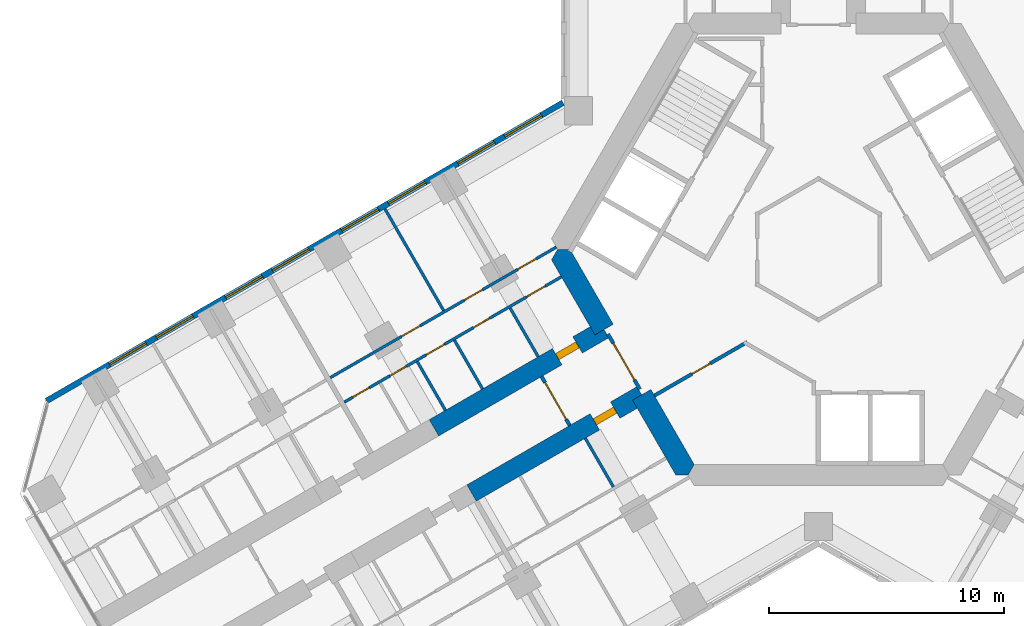
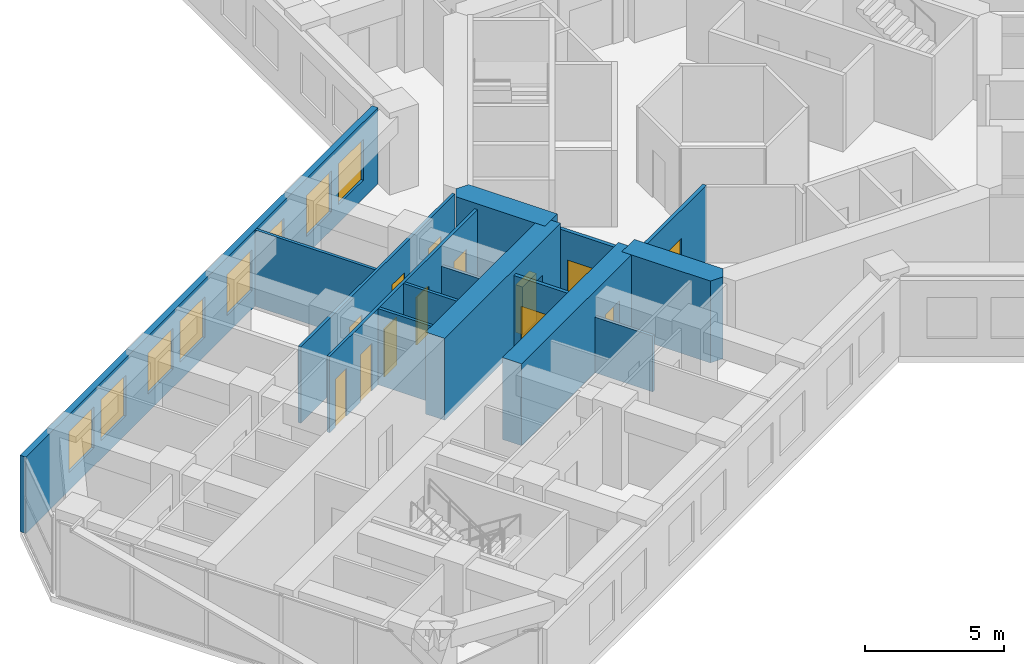
# One storey, part 12 of 20: 15 walls, 13 doors, 8 windows, 21 openings.
"""IFC4 building model written with IfcOpenShell, lengths in metres."""

import ifcopenshell
import ifcopenshell.guid

model = None  # the IFC model being written
_history = None  # IfcOwnerHistory: only IFC2X3 demands one
_inside = {}  # id of a spatial element -> (the spatial element, [elements in it])
_under = {}  # id of a project, library or spatial element -> (it, [spatial elements below it])
_declared = {}  # id of a project -> (the project, [libraries it declares])
_typed = {}  # id of a type object -> (the type object, [elements of that type])
_made_of = {}  # id of a material, layer set ... -> (it, [elements and type objects made of it])


def new_model(schema):
    """Start an empty IFC model of exactly this schema.

    Asked for "IFC4X3", IfcOpenShell would pick the latest addendum, in which some entities
    have other attributes; the version numbers below select the first issue.
    IFC2X3 requires an IfcOwnerHistory on every rooted entity: one is made here for all.
    """
    global model, _history
    if schema == "IFC4X3":
        model = ifcopenshell.file(schema_version=(4, 3, 0, 0))
    else:
        model = ifcopenshell.file(schema=schema)
    _inside.clear()
    _under.clear()
    _declared.clear()
    _typed.clear()
    _made_of.clear()
    _history = None
    if model.schema == "IFC2X3":
        org = make("IfcOrganization", Name="unknown")
        user = make(
            "IfcPersonAndOrganization",
            ThePerson=make("IfcPerson", FamilyName="unknown"),
            TheOrganization=org,
        )
        app = make(
            "IfcApplication",
            ApplicationDeveloper=org,
            Version="unknown",
            ApplicationFullName="unknown",
            ApplicationIdentifier="unknown",
        )
        _history = make(
            "IfcOwnerHistory",
            OwningUser=user,
            OwningApplication=app,
            ChangeAction="ADDED",
            CreationDate=0,
        )
    return model


def make(cls, **values):
    """One entity of the class cls with the attributes given. An attribute that is None is left unset."""
    return model.create_entity(
        cls, **{name: value for name, value in values.items() if value is not None}
    )


def rooted(cls, **values):
    """An entity with a GlobalId (a new one), such as an element, a storey or a relation."""
    return make(cls, GlobalId=ifcopenshell.guid.new(), OwnerHistory=_history, **values)


def si_unit(unit_type, name, prefix=None):
    """IfcSIUnit, for example si_unit("LENGTHUNIT", "METRE", prefix="MILLI")."""
    return make("IfcSIUnit", UnitType=unit_type, Prefix=prefix, Name=name)


def assignment(units):
    """IfcUnitAssignment: the units of a project."""
    return None if units is None else make("IfcUnitAssignment", Units=units)


def point(xyz):
    """IfcCartesianPoint."""
    return None if xyz is None else make("IfcCartesianPoint", Coordinates=xyz)


def direction(xyz):
    """IfcDirection."""
    return None if xyz is None else make("IfcDirection", DirectionRatios=xyz)


def frame(location, z_axis=None, x_axis=None):
    """IfcAxis2Placement3D, a coordinate frame: its origin and axes. An axis left out is left unset."""
    return make(
        "IfcAxis2Placement3D",
        Location=point(location),
        Axis=direction(z_axis),
        RefDirection=direction(x_axis),
    )


def frame_2d(location, x_axis=None):
    """IfcAxis2Placement2D, a coordinate frame in the plane: its origin and x axis."""
    return make(
        "IfcAxis2Placement2D", Location=point(location), RefDirection=direction(x_axis)
    )


def origin():
    """The frame at (0, 0, 0) with its axes left unset."""
    return frame((0.0, 0.0, 0.0))


def place(relative_to, where):
    """IfcLocalPlacement: puts the frame where relative to a parent placement (None: the world)."""
    return make(
        "IfcLocalPlacement", PlacementRelTo=relative_to, RelativePlacement=where
    )


def context(
    kind, dimensions, precision=None, world=None, true_north=None, identifier=None
):
    """IfcGeometricRepresentationContext, for example the 3D "Model" context."""
    return make(
        "IfcGeometricRepresentationContext",
        ContextIdentifier=identifier,
        ContextType=kind,
        CoordinateSpaceDimension=dimensions,
        Precision=precision,
        WorldCoordinateSystem=world,
        TrueNorth=true_north,
    )


def subcontext(parent, identifier, kind, view, scale=None):
    """IfcGeometricRepresentationSubContext, for example "Body" below "Model"."""
    return make(
        "IfcGeometricRepresentationSubContext",
        ContextIdentifier=identifier,
        ContextType=kind,
        ParentContext=parent,
        TargetScale=scale,
        TargetView=view,
    )


def project(units=None, contexts=None):
    """IfcProject with its units and contexts."""
    return rooted(
        "IfcProject",
        Name="project",
        RepresentationContexts=contexts,
        UnitsInContext=assignment(units),
    )


def spatial(cls, under=None, at=None, **own):
    """A site, building, storey or space (cls), placed at a placement, below another one or the project."""
    s = rooted(cls, ObjectPlacement=at, **own)
    if under is not None:
        _under.setdefault(under.id(), (under, []))[1].append(s)
    return s


def polyline(points):
    """IfcPolyline through the points."""
    return make("IfcPolyline", Points=[point(p) for p in points])


def profile(cls, at=None, kind="AREA", **sizes):
    """A parametric profile (cls). Its sizes go by their IFC names, for example OverallWidth=200.0."""
    return make(cls, ProfileType=kind, Position=at, **sizes)


def rectangle(**sizes):
    """IfcRectangleProfileDef."""
    return profile("IfcRectangleProfileDef", **sizes)


def outline(outer, holes=None, kind="AREA"):
    """IfcArbitraryClosedProfileDef: a profile drawn as a closed curve; with holes, ...WithVoids."""
    if holes is None:
        return make("IfcArbitraryClosedProfileDef", ProfileType=kind, OuterCurve=outer)
    return make(
        "IfcArbitraryProfileDefWithVoids",
        ProfileType=kind,
        OuterCurve=outer,
        InnerCurves=holes,
    )


def extrude(swept, where, along, depth):
    """IfcExtrudedAreaSolid: the profile swept, set in the frame where, extruded along a direction by depth."""
    return make(
        "IfcExtrudedAreaSolid",
        SweptArea=swept,
        Position=where,
        ExtrudedDirection=direction(along),
        Depth=depth,
    )


def shape(context_of_items, identifier, shape_type, items):
    """IfcShapeRepresentation: the items that make up one representation, for example the "Body"."""
    return make(
        "IfcShapeRepresentation",
        ContextOfItems=context_of_items,
        RepresentationIdentifier=identifier,
        RepresentationType=shape_type,
        Items=items,
    )


def material(Name=None, Category=None):
    """IfcMaterial."""
    return make("IfcMaterial", Name=Name, Category=Category)


def layer(
    of_material, thickness, ventilated=None, Name=None, Category=None, Priority=None
):
    """IfcMaterialLayer: one layer of a wall or slab, of a material (None: an air gap)."""
    return make(
        "IfcMaterialLayer",
        Material=of_material,
        LayerThickness=thickness,
        IsVentilated=ventilated,
        Name=Name,
        Category=Category,
        Priority=Priority,
    )


def layer_set(layers, Name=None):
    """IfcMaterialLayerSet."""
    return make("IfcMaterialLayerSet", MaterialLayers=layers, LayerSetName=Name)


def made_of(thing, what):
    """Note that an element or type object is made of a material, layer set ...; save() writes the relation."""
    if what is not None:
        _made_of.setdefault(what.id(), (what, []))[1].append(thing)
    return thing


def type_object(cls, material=None, **own):
    """A type object (cls), such as IfcWallType, which elements share."""
    return made_of(rooted(cls, **own), material)


def element(
    cls,
    number,
    at=None,
    inside=None,
    cuts=None,
    type_object=None,
    material=None,
    context=None,
    identifier="Body",
    shape_type=None,
    held_by="IfcProductDefinitionShape",
    body=None,
    shapes=None,
    **own,
):
    """One element of the class cls, such as IfcWall. Its Tag is "e" and its number.

    at: its placement. inside: the storey or other place that contains it. cuts: it is an
    opening in that element (IfcRelVoidsElement). A single representation is given by context,
    identifier, shape_type and body (its items); several are given by shapes. held_by: the class
    of the entity that holds the representations. save() writes the other relations.
    """
    e = rooted(cls, Tag="e%d" % number, ObjectPlacement=at, **own)
    if body is not None:
        shapes = [shape(context, identifier, shape_type, body)]
    if shapes is not None:
        e.Representation = make(held_by, Representations=shapes)
    if inside is not None:
        _inside.setdefault(inside.id(), (inside, []))[1].append(e)
    if cuts is not None:
        rooted(
            "IfcRelVoidsElement", RelatingBuildingElement=cuts, RelatedOpeningElement=e
        )
    if type_object is not None:
        _typed.setdefault(type_object.id(), (type_object, []))[1].append(e)
    return made_of(e, material)


def fill(opening, filler):
    """IfcRelFillsElement: the door or window that sits in an opening."""
    return rooted(
        "IfcRelFillsElement",
        RelatingOpeningElement=opening,
        RelatedBuildingElement=filler,
    )


def aggregate(whole, parts):
    """IfcRelAggregates: a whole, such as a stair, and the parts it consists of."""
    return rooted("IfcRelAggregates", RelatingObject=whole, RelatedObjects=parts)


def save(model, path):
    """Write the relations noted so far, then the file.

    IfcRelAggregates (storeys below a building ...), IfcRelContainedInSpatialStructure (elements
    in a storey), IfcRelDefinesByType, IfcRelAssociatesMaterial and IfcRelDeclares: one each for
    every whole, place, type object, material and project.
    """
    for whole, parts in _under.values():
        aggregate(whole, parts)
    for where, things in _inside.values():
        rooted(
            "IfcRelContainedInSpatialStructure",
            RelatedElements=things,
            RelatingStructure=where,
        )
    for kind, things in _typed.values():
        rooted("IfcRelDefinesByType", RelatedObjects=things, RelatingType=kind)
    for what, things in _made_of.values():
        rooted("IfcRelAssociatesMaterial", RelatedObjects=things, RelatingMaterial=what)
    for by, libraries in _declared.values():
        rooted("IfcRelDeclares", RelatingContext=by, RelatedDefinitions=libraries)
    model.write(path)


model = new_model("IFC4")

# Units and contexts
model_context = context("Model", 3, precision=1e-05, world=origin(), true_north=direction((0.0, 1.0)))
body_context = subcontext(model_context, "Body", "Model", "MODEL_VIEW")
ifc_project = project(units=[si_unit("LENGTHUNIT", "METRE"), si_unit("AREAUNIT", "SQUARE_METRE"), si_unit("VOLUMEUNIT", "CUBIC_METRE"), si_unit("PLANEANGLEUNIT", "RADIAN"), si_unit("MASSUNIT", "GRAM", prefix="KILO")], contexts=[model_context])

# Site, building, storey
site_placement = place(None, origin())
site = spatial("IfcSite", under=ifc_project, at=site_placement, CompositionType="ELEMENT")
building_placement = place(site_placement, origin())
building = spatial("IfcBuilding", under=site, at=building_placement, Name="Kosmar Iwan School Tower", CompositionType="ELEMENT")
storey_placement = place(building_placement, frame((0.0, 0.0, 127.39990234375)))
storey = spatial("IfcBuildingStorey", under=building, at=storey_placement, Name="L31", CompositionType="ELEMENT", Elevation=127.39990234375)

# Wall, opening, door
ifc_material_1 = material(Name="Gypsum board on steel studs, fire-rated", Category="steel")
ifc_layer_1 = layer(ifc_material_1, 0.14990234375)
ifc_layer_set_1 = layer_set([ifc_layer_1], Name="Core room partition 150")
wall_type_1 = type_object("IfcWallType", Name="Core room partition 150", PredefinedType="PARTITIONING", material=ifc_layer_set_1)
wall_1_placement = place(storey_placement, frame((-6.978515625, -6.222900390625, 0.0), z_axis=(0.0, 0.0, 1.0), x_axis=(0.866033797781, 0.49998546089, 0.0)))
wall_1 = element("IfcWall", 1, at=wall_1_placement, inside=storey, type_object=wall_type_1, Name="Core room partition L31-CW5", PredefinedType="PARTITIONING", context=body_context, shape_type="SweptSolid", body=[
    extrude(rectangle(XDim=4.553466796875, YDim=0.14990234375, at=frame_2d((2.27685546875, 0.0))), origin(), (0.0, 0.0, 1.0), 3.35009765625),
])
opening_1_placement = place(wall_1_placement, frame((1.846923828125, 0.0, 0.0)))
opening_1 = element("IfcOpeningElement", 2, at=opening_1_placement, cuts=wall_1, Name="Opening D14", PredefinedType="OPENING", context=body_context, shape_type="SweptSolid", body=[
    extrude(rectangle(XDim=0.89990234375, YDim=2.10009765625, at=frame_2d((0.449951171875, 1.050048828125))), frame((0.0, 0.0869140625, 0.0), z_axis=(0.0, -1.0, 0.0), x_axis=(1.0, 0.0, 0.0)), (0.0, 0.0, 1.0), 0.173828125),
])
ifc_material_2 = material(Name="Timber fire door in steel frame", Category="steel")
door_type_1 = type_object("IfcDoorType", Name="Core room door 900x2100", OperationType="SINGLE_SWING_LEFT", PredefinedType="DOOR", material=ifc_material_2)
door_1_placement = place(opening_1_placement, origin())
door_1 = element("IfcDoor", 3, at=door_1_placement, inside=storey, type_object=door_type_1, Name="Bicycle repair room door L31 3", OperationType="SINGLE_SWING_RIGHT", OverallHeight=2.10009765625, OverallWidth=0.89990234375, PredefinedType="DOOR", context=body_context, shape_type="SweptSolid", body=[
    extrude(rectangle(XDim=0.89990234375, YDim=2.10009765625, at=frame_2d((0.449951171875, 1.050048828125))), frame((0.0, 0.02490234375, 0.0), z_axis=(0.0, -1.0, 0.0), x_axis=(1.0, 0.0, 0.0)), (0.0, 0.0, 1.0), 0.050048828125),
])
fill(opening_1, door_1)

# Walls
ifc_material_3 = material(Name="Concrete C50/60", Category="concrete")
ifc_layer_2 = layer(ifc_material_3, 0.89990234375)
ifc_layer_set_2 = layer_set([ifc_layer_2], Name="Core wall 900")
wall_type_2 = type_object("IfcWallType", Name="Core wall 900", PredefinedType="SHEAR", material=ifc_layer_set_2)
wall_2_placement = place(storey_placement, origin())
element("IfcWall", 4, at=wall_2_placement, inside=storey, type_object=wall_type_2, Name="Core wall F210a", PredefinedType="SHEAR", context=body_context, shape_type="SweptSolid", body=[
    extrude(outline(polyline([(-9.503662109375, -3.639404296875), (-8.72412109375, -3.189453125), (-10.5654296875, 0.0), (-11.085205078125, 0.0), (-11.344970703125, -0.449951171875), (-9.503662109375, -3.639404296875)])), origin(), (0.0, 0.0, 1.0), 3.60009765625),
])
wall_3_placement = place(storey_placement, origin())
element("IfcWall", 5, at=wall_3_placement, inside=storey, type_object=wall_type_2, Name="Core wall F210b", PredefinedType="SHEAR", context=body_context, shape_type="SweptSolid", body=[
    extrude(outline(polyline([(-6.062255859375, -9.60009765625), (-5.54248046875, -9.60009765625), (-5.28271484375, -9.14990234375), (-7.1240234375, -5.960693359375), (-7.903564453125, -6.41064453125), (-6.062255859375, -9.60009765625)])), origin(), (0.0, 0.0, 1.0), 3.60009765625),
])

# Wall, opening, door
ifc_material_4 = material(Name="Concrete C50/60", Category="concrete")
ifc_layer_3 = layer(ifc_material_4, 0.800048828125)
ifc_layer_set_3 = layer_set([ifc_layer_3], Name="Corridor buttress wall 800")
wall_type_3 = type_object("IfcWallType", Name="Corridor buttress wall 800", PredefinedType="SHEAR", material=ifc_layer_set_3)
wall_4_placement = place(storey_placement, frame((-7.513916015625, -6.185546875, 0.0), z_axis=(0.0, 0.0, 1.0), x_axis=(-0.866019549707, -0.500010139422, 0.0)))
wall_4 = element("IfcWall", 6, at=wall_4_placement, inside=storey, type_object=wall_type_3, Name="Corridor wall BL", PredefinedType="SHEAR", context=body_context, shape_type="SweptSolid", body=[
    extrude(rectangle(XDim=8.349853515625, YDim=0.800048828125, at=frame_2d((4.1748046875, 0.0))), origin(), (0.0, 0.0, 1.0), 3.60009765625),
])
opening_2_placement = place(wall_4_placement, frame((1.300048828125, 0.0, 0.0)))
opening_2 = element("IfcOpeningElement", 7, at=opening_2_placement, cuts=wall_4, Name="Opening D1", PredefinedType="OPENING", context=body_context, shape_type="SweptSolid", body=[
    extrude(rectangle(XDim=1.0, YDim=2.10009765625, at=frame_2d((0.5, 1.050048828125))), frame((0.0, 0.412109375, 0.0), z_axis=(0.0, -1.0, 0.0), x_axis=(1.0, 0.0, 0.0)), (0.0, 0.0, 1.0), 0.823974609375),
])
ifc_material_5 = material(Name="Timber fire door in steel frame", Category="steel")
door_type_2 = type_object("IfcDoorType", Name="Flat entrance door 1000x2100", OperationType="SINGLE_SWING_LEFT", PredefinedType="DOOR", material=ifc_material_5)
door_2_placement = place(opening_2_placement, origin())
door_2 = element("IfcDoor", 8, at=door_2_placement, inside=storey, type_object=door_type_2, Name="Flat L31-BL1 entrance door", OperationType="SINGLE_SWING_RIGHT", OverallHeight=2.10009765625, OverallWidth=1.0, PredefinedType="DOOR", context=body_context, shape_type="SweptSolid", body=[
    extrude(rectangle(XDim=1.0, YDim=2.10009765625, at=frame_2d((0.5, 1.050048828125))), frame((0.0, 0.14990234375, 0.0), z_axis=(0.0, -1.0, 0.0), x_axis=(1.0, 0.0, 0.0)), (0.0, 0.0, 1.0), 0.300048828125),
])
fill(opening_2, door_2)

wall_5_placement = place(storey_placement, frame((-9.11376953125, -3.414306640625, 0.0), z_axis=(0.0, 0.0, 1.0), x_axis=(-0.866026859388, -0.499997478812, 0.0)))
wall_5 = element("IfcWall", 9, at=wall_5_placement, inside=storey, type_object=wall_type_3, Name="Corridor wall BR", PredefinedType="SHEAR", context=body_context, shape_type="SweptSolid", body=[
    extrude(rectangle(XDim=8.35009765625, YDim=0.800048828125, at=frame_2d((4.175048828125, 0.0))), origin(), (0.0, 0.0, 1.0), 3.60009765625),
])
opening_3_placement = place(wall_5_placement, frame((1.300048828125, 0.0, 0.0)))
opening_3 = element("IfcOpeningElement", 10, at=opening_3_placement, cuts=wall_5, Name="Opening D1", PredefinedType="OPENING", context=body_context, shape_type="SweptSolid", body=[
    extrude(rectangle(XDim=1.0, YDim=2.10009765625, at=frame_2d((0.5, 1.050048828125))), frame((0.0, 0.412109375, 0.0), z_axis=(0.0, -1.0, 0.0), x_axis=(1.0, 0.0, 0.0)), (0.0, 0.0, 1.0), 0.823974609375),
])
door_3_placement = place(opening_3_placement, origin())
door_3 = element("IfcDoor", 11, at=door_3_placement, inside=storey, type_object=door_type_2, Name="Flat L31-BR1 entrance door", OperationType="SINGLE_SWING_RIGHT", OverallHeight=2.10009765625, OverallWidth=1.0, PredefinedType="DOOR", context=body_context, shape_type="SweptSolid", body=[
    extrude(rectangle(XDim=1.0, YDim=2.10009765625, at=frame_2d((0.5, 1.050048828125))), frame((0.0, 0.14990234375, 0.0), z_axis=(0.0, -1.0, 0.0), x_axis=(1.0, 0.0, 0.0)), (0.0, 0.0, 1.0), 0.300048828125),
])
fill(opening_3, door_3)

ifc_material_6 = material(Name="Gypsum board on steel studs, fire-rated", Category="steel")
ifc_layer_4 = layer(ifc_material_6, 0.14990234375)
ifc_layer_set_4 = layer_set([ifc_layer_4], Name="Corridor end wall 150")
wall_type_4 = type_object("IfcWallType", Name="Corridor end wall 150", PredefinedType="PARTITIONING", material=ifc_layer_set_4)
wall_6_placement = place(storey_placement, frame((-11.771728515625, -5.41064453125, 0.0), z_axis=(0.0, 0.0, 1.0), x_axis=(0.499957262057, -0.866050077142, 0.0)))
wall_6 = element("IfcWall", 12, at=wall_6_placement, inside=storey, type_object=wall_type_4, Name="Partition L31-B-HW", PredefinedType="PARTITIONING", context=body_context, shape_type="SweptSolid", body=[
    extrude(rectangle(XDim=2.400146484375, YDim=0.14990234375, at=frame_2d((1.2001953125, 0.0))), origin(), (0.0, 0.0, 1.0), 3.35009765625),
])
opening_4_placement = place(wall_6_placement, frame((0.300048828125, 0.0, 0.0)))
opening_4 = element("IfcOpeningElement", 13, at=opening_4_placement, cuts=wall_6, Name="Opening D9", PredefinedType="OPENING", context=body_context, shape_type="SweptSolid", body=[
    extrude(rectangle(XDim=1.800048828125, YDim=2.10009765625, at=frame_2d((0.89990234375, 1.050048828125))), frame((0.0, 0.0869140625, 0.0), z_axis=(0.0, -1.0, 0.0), x_axis=(1.0, 0.0, 0.0)), (0.0, 0.0, 1.0), 0.173828125),
])
ifc_material_7 = material(Name="Steel framed glazed smoke door", Category="steel")
door_type_3 = type_object("IfcDoorType", Name="Corridor smoke door pair 1800x2100", OperationType="DOUBLE_DOOR_DOUBLE_SWING", PredefinedType="DOOR", material=ifc_material_7)
door_4_placement = place(opening_4_placement, origin())
door_4 = element("IfcDoor", 14, at=door_4_placement, inside=storey, type_object=door_type_3, Name="Hashti vestibule smoke doors L31-B", OperationType="DOUBLE_DOOR_DOUBLE_SWING", OverallHeight=2.10009765625, OverallWidth=1.800048828125, PredefinedType="DOOR", context=body_context, shape_type="SweptSolid", body=[
    extrude(rectangle(XDim=1.800048828125, YDim=2.10009765625, at=frame_2d((0.89990234375, 1.050048828125))), frame((0.0, 0.02490234375, 0.0), z_axis=(0.0, -1.0, 0.0), x_axis=(1.0, 0.0, 0.0)), (0.0, 0.0, 1.0), 0.050048828125),
])
fill(opening_4, door_4)

ifc_material_8 = material(Name="Steel framed glazed screen", Category="steel")
ifc_layer_5 = layer(ifc_material_8, 0.14990234375)
ifc_layer_set_5 = layer_set([ifc_layer_5], Name="Corridor screen wall 150")
wall_type_5 = type_object("IfcWallType", Name="Corridor screen wall 150", PredefinedType="PARTITIONING", material=ifc_layer_set_5)
wall_7_placement = place(storey_placement, frame((-8.945556640625, -3.60595703125, 0.0), z_axis=(0.0, 0.0, 1.0), x_axis=(0.500048589285, -0.86599734893, 0.0)))
wall_7 = element("IfcWall", 15, at=wall_7_placement, inside=storey, type_object=wall_type_5, Name="Corridor screen B L31", PredefinedType="PARTITIONING", context=body_context, shape_type="SweptSolid", body=[
    extrude(rectangle(XDim=2.699951171875, YDim=0.14990234375, at=frame_2d((1.35009765625, 0.0))), origin(), (0.0, 0.0, 1.0), 3.35009765625),
])
opening_5_placement = place(wall_7_placement, frame((0.449951171875, 0.0, 0.0)))
opening_5 = element("IfcOpeningElement", 16, at=opening_5_placement, cuts=wall_7, Name="Opening D9", PredefinedType="OPENING", context=body_context, shape_type="SweptSolid", body=[
    extrude(rectangle(XDim=1.800048828125, YDim=2.10009765625, at=frame_2d((0.89990234375, 1.050048828125))), frame((0.0, 0.0869140625, 0.0), z_axis=(0.0, -1.0, 0.0), x_axis=(1.0, 0.0, 0.0)), (0.0, 0.0, 1.0), 0.173828125),
])
door_5_placement = place(opening_5_placement, origin())
door_5 = element("IfcDoor", 17, at=door_5_placement, inside=storey, type_object=door_type_3, Name="Corridor doors B L31", OperationType="DOUBLE_DOOR_DOUBLE_SWING", OverallHeight=2.10009765625, OverallWidth=1.800048828125, PredefinedType="DOOR", context=body_context, shape_type="SweptSolid", body=[
    extrude(rectangle(XDim=1.800048828125, YDim=2.10009765625, at=frame_2d((0.89990234375, 1.050048828125))), frame((0.0, 0.02490234375, 0.0), z_axis=(0.0, -1.0, 0.0), x_axis=(1.0, 0.0, 0.0)), (0.0, 0.0, 1.0), 0.050048828125),
])
fill(opening_5, door_5)

# Wall
ifc_material_9 = material(Name="Gypsum board on steel studs", Category="steel")
ifc_layer_6 = layer(ifc_material_9, 0.1201171875)
ifc_layer_set_6 = layer_set([ifc_layer_6], Name="Dwelling partition 120")
wall_type_6 = type_object("IfcWallType", Name="Dwelling partition 120", PredefinedType="PARTITIONING", material=ifc_layer_set_6)
wall_8_placement = place(storey_placement, frame((-9.911865234375, -8.031982421875, 0.0), z_axis=(0.0, 0.0, 1.0), x_axis=(0.500017192868, -0.86601547725, 0.0)))
element("IfcWall", 18, at=wall_8_placement, inside=storey, type_object=wall_type_6, Name="Partition L31-BL1-Y1", PredefinedType="PARTITIONING", context=body_context, shape_type="SweptSolid", body=[
    extrude(rectangle(XDim=2.39013671875, YDim=0.1201171875, at=frame_2d((1.195068359375, 0.0))), origin(), (0.0, 0.0, 1.0), 2.4501953125),
])

# Wall, openings, doors
wall_9_placement = place(storey_placement, frame((-10.928466796875, -1.171142578125, 0.0), z_axis=(0.0, 0.0, 1.0), x_axis=(-0.866032509089, -0.49998769305, 0.0)))
wall_9 = element("IfcWall", 19, at=wall_9_placement, inside=storey, type_object=wall_type_6, Name="Partition L31-BR1-W1", PredefinedType="PARTITIONING", context=body_context, shape_type="SweptSolid", body=[
    extrude(rectangle(XDim=10.650146484375, YDim=0.1201171875, at=frame_2d((5.3251953125, 0.0))), origin(), (0.0, 0.0, 1.0), 3.35009765625),
])
opening_6_placement = place(wall_9_placement, frame((0.800048828125, 0.0, 0.0)))
opening_6 = element("IfcOpeningElement", 20, at=opening_6_placement, cuts=wall_9, Name="Opening D2", PredefinedType="OPENING", context=body_context, shape_type="SweptSolid", body=[
    extrude(rectangle(XDim=0.89990234375, YDim=2.10009765625, at=frame_2d((0.449951171875, 1.050048828125))), frame((0.0, 0.072021484375, 0.0), z_axis=(0.0, -1.0, 0.0), x_axis=(1.0, 0.0, 0.0)), (0.0, 0.0, 1.0), 0.14404296875),
])
opening_7_placement = place(wall_9_placement, frame((3.5166015625, 0.0, 0.0)))
opening_7 = element("IfcOpeningElement", 21, at=opening_7_placement, cuts=wall_9, Name="Opening D3", PredefinedType="OPENING", context=body_context, shape_type="SweptSolid", body=[
    extrude(rectangle(XDim=0.800048828125, YDim=2.10009765625, at=frame_2d((0.39990234375, 1.050048828125))), frame((0.0, 0.072021484375, 0.0), z_axis=(0.0, -1.0, 0.0), x_axis=(1.0, 0.0, 0.0)), (0.0, 0.0, 1.0), 0.14404296875),
])
opening_8_placement = place(wall_9_placement, frame((5.744384765625, 0.0, 0.0)))
opening_8 = element("IfcOpeningElement", 22, at=opening_8_placement, cuts=wall_9, Name="Opening D2", PredefinedType="OPENING", context=body_context, shape_type="SweptSolid", body=[
    extrude(rectangle(XDim=0.89990234375, YDim=2.10009765625, at=frame_2d((0.449951171875, 1.050048828125))), frame((0.0, 0.072021484375, 0.0), z_axis=(0.0, -1.0, 0.0), x_axis=(1.0, 0.0, 0.0)), (0.0, 0.0, 1.0), 0.14404296875),
])
opening_9_placement = place(wall_9_placement, frame((7.61669921875, 0.0, 0.0)))
opening_9 = element("IfcOpeningElement", 23, at=opening_9_placement, cuts=wall_9, Name="Opening D3", PredefinedType="OPENING", context=body_context, shape_type="SweptSolid", body=[
    extrude(rectangle(XDim=0.800048828125, YDim=2.10009765625, at=frame_2d((0.39990234375, 1.050048828125))), frame((0.0, 0.072021484375, 0.0), z_axis=(0.0, -1.0, 0.0), x_axis=(1.0, 0.0, 0.0)), (0.0, 0.0, 1.0), 0.14404296875),
])
opening_10_placement = place(wall_9_placement, frame((9.43896484375, 0.0, 0.0)))
opening_10 = element("IfcOpeningElement", 24, at=opening_10_placement, cuts=wall_9, Name="Opening D3", PredefinedType="OPENING", context=body_context, shape_type="SweptSolid", body=[
    extrude(rectangle(XDim=0.800048828125, YDim=2.10009765625, at=frame_2d((0.39990234375, 1.050048828125))), frame((0.0, 0.072021484375, 0.0), z_axis=(0.0, -1.0, 0.0), x_axis=(1.0, 0.0, 0.0)), (0.0, 0.0, 1.0), 0.14404296875),
])
ifc_material_10 = material(Name="Timber door in timber frame", Category="wood")
door_type_4 = type_object("IfcDoorType", Name="Internal door 900x2100", OperationType="SINGLE_SWING_LEFT", PredefinedType="DOOR", material=ifc_material_10)
door_6_placement = place(opening_6_placement, origin())
door_6 = element("IfcDoor", 25, at=door_6_placement, inside=storey, type_object=door_type_4, Name="Entrance hall door L31-BR1-S1", OperationType="SINGLE_SWING_LEFT", OverallHeight=2.10009765625, OverallWidth=0.89990234375, PredefinedType="DOOR", context=body_context, shape_type="SweptSolid", body=[
    extrude(rectangle(XDim=0.89990234375, YDim=2.10009765625, at=frame_2d((0.449951171875, 1.050048828125))), frame((0.0, 0.02490234375, 0.0), z_axis=(0.0, -1.0, 0.0), x_axis=(1.0, 0.0, 0.0)), (0.0, 0.0, 1.0), 0.050048828125),
])
fill(opening_6, door_6)
door_7_placement = place(opening_8_placement, origin())
door_7 = element("IfcDoor", 26, at=door_7_placement, inside=storey, type_object=door_type_4, Name="Pantry door L31-BR1-S3", OperationType="SINGLE_SWING_LEFT", OverallHeight=2.10009765625, OverallWidth=0.89990234375, PredefinedType="DOOR", context=body_context, shape_type="SweptSolid", body=[
    extrude(rectangle(XDim=0.89990234375, YDim=2.10009765625, at=frame_2d((0.449951171875, 1.050048828125))), frame((0.0, 0.02490234375, 0.0), z_axis=(0.0, -1.0, 0.0), x_axis=(1.0, 0.0, 0.0)), (0.0, 0.0, 1.0), 0.050048828125),
])
fill(opening_8, door_7)
ifc_material_11 = material(Name="Timber door in timber frame", Category="wood")
door_type_5 = type_object("IfcDoorType", Name="Sanitary room door 800x2100", OperationType="SINGLE_SWING_LEFT", PredefinedType="DOOR", material=ifc_material_11)
door_8_placement = place(opening_7_placement, origin())
door_8 = element("IfcDoor", 27, at=door_8_placement, inside=storey, type_object=door_type_5, Name="Bathroom door L31-BR1-S2", OperationType="SINGLE_SWING_RIGHT", OverallHeight=2.10009765625, OverallWidth=0.800048828125, PredefinedType="DOOR", context=body_context, shape_type="SweptSolid", body=[
    extrude(rectangle(XDim=0.800048828125, YDim=2.10009765625, at=frame_2d((0.39990234375, 1.050048828125))), frame((0.0, 0.02490234375, 0.0), z_axis=(0.0, -1.0, 0.0), x_axis=(1.0, 0.0, 0.0)), (0.0, 0.0, 1.0), 0.050048828125),
])
fill(opening_7, door_8)
door_9_placement = place(opening_9_placement, origin())
door_9 = element("IfcDoor", 28, at=door_9_placement, inside=storey, type_object=door_type_5, Name="WC door L31-BR1-S4", OperationType="SINGLE_SWING_RIGHT", OverallHeight=2.10009765625, OverallWidth=0.800048828125, PredefinedType="DOOR", context=body_context, shape_type="SweptSolid", body=[
    extrude(rectangle(XDim=0.800048828125, YDim=2.10009765625, at=frame_2d((0.39990234375, 1.050048828125))), frame((0.0, 0.02490234375, 0.0), z_axis=(0.0, -1.0, 0.0), x_axis=(1.0, 0.0, 0.0)), (0.0, 0.0, 1.0), 0.050048828125),
])
fill(opening_9, door_9)
door_10_placement = place(opening_10_placement, origin())
door_10 = element("IfcDoor", 29, at=door_10_placement, inside=storey, type_object=door_type_5, Name="Store door L31-BR1-S5", OperationType="SINGLE_SWING_RIGHT", OverallHeight=2.10009765625, OverallWidth=0.800048828125, PredefinedType="DOOR", context=body_context, shape_type="SweptSolid", body=[
    extrude(rectangle(XDim=0.800048828125, YDim=2.10009765625, at=frame_2d((0.39990234375, 1.050048828125))), frame((0.0, 0.02490234375, 0.0), z_axis=(0.0, -1.0, 0.0), x_axis=(1.0, 0.0, 0.0)), (0.0, 0.0, 1.0), 0.050048828125),
])
fill(opening_10, door_10)

wall_10_placement = place(storey_placement, frame((-11.138916015625, 0.093017578125, 0.0), z_axis=(0.0, 0.0, 1.0), x_axis=(-0.866021494144, -0.500006771635, 0.0)))
wall_10 = element("IfcWall", 30, at=wall_10_placement, inside=storey, type_object=wall_type_6, Name="Partition L31-BR1-W2", PredefinedType="PARTITIONING", context=body_context, shape_type="SweptSolid", body=[
    extrude(rectangle(XDim=11.099853515625, YDim=0.1201171875, at=frame_2d((5.5498046875, 0.0))), origin(), (0.0, 0.0, 1.0), 3.35009765625),
])
opening_11_placement = place(wall_10_placement, frame((1.0, 0.0, 0.0)))
opening_11 = element("IfcOpeningElement", 31, at=opening_11_placement, cuts=wall_10, Name="Opening D2", PredefinedType="OPENING", context=body_context, shape_type="SweptSolid", body=[
    extrude(rectangle(XDim=0.89990234375, YDim=2.10009765625, at=frame_2d((0.449951171875, 1.050048828125))), frame((0.0, 0.072021484375, 0.0), z_axis=(0.0, -1.0, 0.0), x_axis=(1.0, 0.0, 0.0)), (0.0, 0.0, 1.0), 0.14404296875),
])
opening_12_placement = place(wall_10_placement, frame((3.625, 0.0, 0.0)))
opening_12 = element("IfcOpeningElement", 32, at=opening_12_placement, cuts=wall_10, Name="Opening D2", PredefinedType="OPENING", context=body_context, shape_type="SweptSolid", body=[
    extrude(rectangle(XDim=0.89990234375, YDim=2.10009765625, at=frame_2d((0.449951171875, 1.050048828125))), frame((0.0, 0.072021484375, 0.0), z_axis=(0.0, -1.0, 0.0), x_axis=(1.0, 0.0, 0.0)), (0.0, 0.0, 1.0), 0.14404296875),
])
opening_13_placement = place(wall_10_placement, frame((6.699951171875, 0.0, 0.0)))
opening_13 = element("IfcOpeningElement", 33, at=opening_13_placement, cuts=wall_10, Name="Opening D2", PredefinedType="OPENING", context=body_context, shape_type="SweptSolid", body=[
    extrude(rectangle(XDim=0.89990234375, YDim=2.10009765625, at=frame_2d((0.449951171875, 1.050048828125))), frame((0.0, 0.072021484375, 0.0), z_axis=(0.0, -1.0, 0.0), x_axis=(1.0, 0.0, 0.0)), (0.0, 0.0, 1.0), 0.14404296875),
])
door_11_placement = place(opening_11_placement, origin())
door_11 = element("IfcDoor", 34, at=door_11_placement, inside=storey, type_object=door_type_4, Name="Bedroom 1 door L31-BR1-F1", OperationType="SINGLE_SWING_LEFT", OverallHeight=2.10009765625, OverallWidth=0.89990234375, PredefinedType="DOOR", context=body_context, shape_type="SweptSolid", body=[
    extrude(rectangle(XDim=0.89990234375, YDim=2.10009765625, at=frame_2d((0.449951171875, 1.050048828125))), frame((0.0, 0.02490234375, 0.0), z_axis=(0.0, -1.0, 0.0), x_axis=(1.0, 0.0, 0.0)), (0.0, 0.0, 1.0), 0.050048828125),
])
fill(opening_11, door_11)
door_12_placement = place(opening_12_placement, origin())
door_12 = element("IfcDoor", 35, at=door_12_placement, inside=storey, type_object=door_type_4, Name="Study door L31-BR1-F2", OperationType="SINGLE_SWING_LEFT", OverallHeight=2.10009765625, OverallWidth=0.89990234375, PredefinedType="DOOR", context=body_context, shape_type="SweptSolid", body=[
    extrude(rectangle(XDim=0.89990234375, YDim=2.10009765625, at=frame_2d((0.449951171875, 1.050048828125))), frame((0.0, 0.02490234375, 0.0), z_axis=(0.0, -1.0, 0.0), x_axis=(1.0, 0.0, 0.0)), (0.0, 0.0, 1.0), 0.050048828125),
])
fill(opening_12, door_12)
door_13_placement = place(opening_13_placement, origin())
door_13 = element("IfcDoor", 36, at=door_13_placement, inside=storey, type_object=door_type_4, Name="Family room and kitchen door L31-BR1-F3", OperationType="SINGLE_SWING_RIGHT", OverallHeight=2.10009765625, OverallWidth=0.89990234375, PredefinedType="DOOR", context=body_context, shape_type="SweptSolid", body=[
    extrude(rectangle(XDim=0.89990234375, YDim=2.10009765625, at=frame_2d((0.449951171875, 1.050048828125))), frame((0.0, 0.02490234375, 0.0), z_axis=(0.0, -1.0, 0.0), x_axis=(1.0, 0.0, 0.0)), (0.0, 0.0, 1.0), 0.050048828125),
])
fill(opening_13, door_13)

# Walls
wall_11_placement = place(storey_placement, frame((-15.931884765625, -2.60498046875, 0.0), z_axis=(0.0, 0.0, 1.0), x_axis=(-0.500011847778, 0.866018563358, 0.0)))
element("IfcWall", 37, at=wall_11_placement, inside=storey, type_object=wall_type_6, Name="Partition L31-BR1-X2", PredefinedType="PARTITIONING", context=body_context, shape_type="SweptSolid", body=[
    extrude(rectangle(XDim=4.990234375, YDim=0.1201171875, at=frame_2d((2.4951171875, 0.0))), origin(), (0.0, 0.0, 1.0), 3.35009765625),
])
wall_12_placement = place(storey_placement, frame((-11.911865234375, -4.56787109375, 0.0), z_axis=(0.0, 0.0, 1.0), x_axis=(-0.500017192868, 0.86601547725, 0.0)))
element("IfcWall", 38, at=wall_12_placement, inside=storey, type_object=wall_type_6, Name="Partition L31-BR1-Y1", PredefinedType="PARTITIONING", context=body_context, shape_type="SweptSolid", body=[
    extrude(rectangle(XDim=2.39013671875, YDim=0.1201171875, at=frame_2d((1.195068359375, 0.0))), origin(), (0.0, 0.0, 1.0), 2.4501953125),
])
for number, where, z_axis, x_axis, name in (
    (39, (-14.279052734375, -5.9345703125, 0.0), (0.0, 0.0, 1.0), (-0.500017192868, 0.86601547725, 0.0), "Partition L31-BR1-Y2"),
    (40, (-15.857177734375, -6.845703125, 0.0), (0.0, 0.0, 1.0), (-0.500017192868, 0.86601547725, 0.0), "Partition L31-BR1-Y3"),
):
    element("IfcWall", number, at=place(storey_placement, frame(where, z_axis=z_axis, x_axis=x_axis)), inside=storey, type_object=wall_type_6, Name=name, PredefinedType="PARTITIONING", context=body_context, shape_type="SweptSolid", body=[
        extrude(rectangle(XDim=2.39013671875, YDim=0.1201171875, at=frame_2d((1.195068359375, 0.0))), origin(), (0.0, 0.0, 1.0), 3.35009765625),
    ])

# Wall, openings, windows
ifc_material_12 = material(Name="Black aluminium rainscreen on insulated framing", Category="aluminium")
ifc_layer_7 = layer(ifc_material_12, 0.25)
ifc_layer_set_7 = layer_set([ifc_layer_7], Name="External wall rainscreen 250")
wall_type_7 = type_object("IfcWallType", Name="External wall rainscreen 250", PredefinedType="SOLIDWALL", material=ifc_layer_set_7)
wall_13_placement = place(storey_placement, frame((-10.862548828125, 6.228271484375, 0.0), z_axis=(0.0, 0.0, 1.0), x_axis=(-0.866024996846, -0.500000704837, 0.0)))
wall_13 = element("IfcWall", 41, at=wall_13_placement, inside=storey, type_object=wall_type_7, Name="External wall BR L31", PredefinedType="SOLIDWALL", context=body_context, shape_type="SweptSolid", body=[
    extrude(rectangle(XDim=25.34228515625, YDim=0.25, at=frame_2d((12.671142578125, 0.0))), origin(), (0.0, 0.0, 1.0), 3.35009765625),
])
opening_14_placement = place(wall_13_placement, frame((1.056884765625, 0.0, 0.800048828125)))
opening_14 = element("IfcOpeningElement", 42, at=opening_14_placement, cuts=wall_13, Name="Opening W1", PredefinedType="OPENING", context=body_context, shape_type="SweptSolid", body=[
    extrude(rectangle(XDim=1.800048828125, YDim=1.800048828125, at=frame_2d((0.89990234375, 0.89990234375))), frame((0.0, 0.136962890625, 0.0), z_axis=(0.0, -1.0, 0.0), x_axis=(1.0, 0.0, 0.0)), (0.0, 0.0, 1.0), 0.27392578125),
])
opening_15_placement = place(wall_13_placement, frame((3.35693359375, 0.0, 0.800048828125)))
opening_15 = element("IfcOpeningElement", 43, at=opening_15_placement, cuts=wall_13, Name="Opening W1", PredefinedType="OPENING", context=body_context, shape_type="SweptSolid", body=[
    extrude(rectangle(XDim=1.800048828125, YDim=1.800048828125, at=frame_2d((0.89990234375, 0.89990234375))), frame((0.0, 0.136962890625, 0.0), z_axis=(0.0, -1.0, 0.0), x_axis=(1.0, 0.0, 0.0)), (0.0, 0.0, 1.0), 0.27392578125),
])
opening_16_placement = place(wall_13_placement, frame((6.7568359375, 0.0, 0.800048828125)))
opening_16 = element("IfcOpeningElement", 44, at=opening_16_placement, cuts=wall_13, Name="Opening W1", PredefinedType="OPENING", context=body_context, shape_type="SweptSolid", body=[
    extrude(rectangle(XDim=1.800048828125, YDim=1.800048828125, at=frame_2d((0.89990234375, 0.89990234375))), frame((0.0, 0.136962890625, 0.0), z_axis=(0.0, -1.0, 0.0), x_axis=(1.0, 0.0, 0.0)), (0.0, 0.0, 1.0), 0.27392578125),
])
opening_17_placement = place(wall_13_placement, frame((9.056884765625, 0.0, 0.800048828125)))
opening_17 = element("IfcOpeningElement", 45, at=opening_17_placement, cuts=wall_13, Name="Opening W1", PredefinedType="OPENING", context=body_context, shape_type="SweptSolid", body=[
    extrude(rectangle(XDim=1.800048828125, YDim=1.800048828125, at=frame_2d((0.89990234375, 0.89990234375))), frame((0.0, 0.136962890625, 0.0), z_axis=(0.0, -1.0, 0.0), x_axis=(1.0, 0.0, 0.0)), (0.0, 0.0, 1.0), 0.27392578125),
])
opening_18_placement = place(wall_13_placement, frame((12.456787109375, 0.0, 0.800048828125)))
opening_18 = element("IfcOpeningElement", 46, at=opening_18_placement, cuts=wall_13, Name="Opening W1", PredefinedType="OPENING", context=body_context, shape_type="SweptSolid", body=[
    extrude(rectangle(XDim=1.800048828125, YDim=1.800048828125, at=frame_2d((0.89990234375, 0.89990234375))), frame((0.0, 0.136962890625, 0.0), z_axis=(0.0, -1.0, 0.0), x_axis=(1.0, 0.0, 0.0)), (0.0, 0.0, 1.0), 0.27392578125),
])
opening_19_placement = place(wall_13_placement, frame((14.7568359375, 0.0, 0.800048828125)))
opening_19 = element("IfcOpeningElement", 47, at=opening_19_placement, cuts=wall_13, Name="Opening W1", PredefinedType="OPENING", context=body_context, shape_type="SweptSolid", body=[
    extrude(rectangle(XDim=1.800048828125, YDim=1.800048828125, at=frame_2d((0.89990234375, 0.89990234375))), frame((0.0, 0.136962890625, 0.0), z_axis=(0.0, -1.0, 0.0), x_axis=(1.0, 0.0, 0.0)), (0.0, 0.0, 1.0), 0.27392578125),
])
opening_20_placement = place(wall_13_placement, frame((18.156982421875, 0.0, 0.800048828125)))
opening_20 = element("IfcOpeningElement", 48, at=opening_20_placement, cuts=wall_13, Name="Opening W1", PredefinedType="OPENING", context=body_context, shape_type="SweptSolid", body=[
    extrude(rectangle(XDim=1.800048828125, YDim=1.800048828125, at=frame_2d((0.89990234375, 0.89990234375))), frame((0.0, 0.136962890625, 0.0), z_axis=(0.0, -1.0, 0.0), x_axis=(1.0, 0.0, 0.0)), (0.0, 0.0, 1.0), 0.27392578125),
])
opening_21_placement = place(wall_13_placement, frame((20.456787109375, 0.0, 0.800048828125)))
opening_21 = element("IfcOpeningElement", 49, at=opening_21_placement, cuts=wall_13, Name="Opening W1", PredefinedType="OPENING", context=body_context, shape_type="SweptSolid", body=[
    extrude(rectangle(XDim=1.800048828125, YDim=1.800048828125, at=frame_2d((0.89990234375, 0.89990234375))), frame((0.0, 0.136962890625, 0.0), z_axis=(0.0, -1.0, 0.0), x_axis=(1.0, 0.0, 0.0)), (0.0, 0.0, 1.0), 0.27392578125),
])
ifc_material_13 = material(Name="Black aluminium frame with dark triple glazing", Category="aluminium")
window_type = type_object("IfcWindowType", Name="Window 1800x1800", PartitioningType="SINGLE_PANEL", PredefinedType="WINDOW", material=ifc_material_13)
window_1_placement = place(opening_14_placement, origin())
window_1 = element("IfcWindow", 50, at=window_1_placement, inside=storey, type_object=window_type, Name="Window BR L31 -1", OverallHeight=1.800048828125, OverallWidth=1.800048828125, PartitioningType="SINGLE_PANEL", PredefinedType="WINDOW", context=body_context, shape_type="SweptSolid", body=[
    extrude(rectangle(XDim=1.800048828125, YDim=1.800048828125, at=frame_2d((0.89990234375, 0.89990234375))), frame((0.0, 0.030029296875, 0.0), z_axis=(0.0, -1.0, 0.0), x_axis=(1.0, 0.0, 0.0)), (0.0, 0.0, 1.0), 0.06005859375),
])
fill(opening_14, window_1)
window_2_placement = place(opening_15_placement, origin())
window_2 = element("IfcWindow", 51, at=window_2_placement, inside=storey, type_object=window_type, Name="Window BR L31 0", OverallHeight=1.800048828125, OverallWidth=1.800048828125, PartitioningType="SINGLE_PANEL", PredefinedType="WINDOW", context=body_context, shape_type="SweptSolid", body=[
    extrude(rectangle(XDim=1.800048828125, YDim=1.800048828125, at=frame_2d((0.89990234375, 0.89990234375))), frame((0.0, 0.030029296875, 0.0), z_axis=(0.0, -1.0, 0.0), x_axis=(1.0, 0.0, 0.0)), (0.0, 0.0, 1.0), 0.06005859375),
])
fill(opening_15, window_2)
window_3_placement = place(opening_16_placement, origin())
window_3 = element("IfcWindow", 52, at=window_3_placement, inside=storey, type_object=window_type, Name="Window BR L31 1", OverallHeight=1.800048828125, OverallWidth=1.800048828125, PartitioningType="SINGLE_PANEL", PredefinedType="WINDOW", context=body_context, shape_type="SweptSolid", body=[
    extrude(rectangle(XDim=1.800048828125, YDim=1.800048828125, at=frame_2d((0.89990234375, 0.89990234375))), frame((0.0, 0.030029296875, 0.0), z_axis=(0.0, -1.0, 0.0), x_axis=(1.0, 0.0, 0.0)), (0.0, 0.0, 1.0), 0.06005859375),
])
fill(opening_16, window_3)
window_4_placement = place(opening_17_placement, origin())
window_4 = element("IfcWindow", 53, at=window_4_placement, inside=storey, type_object=window_type, Name="Window BR L31 2", OverallHeight=1.800048828125, OverallWidth=1.800048828125, PartitioningType="SINGLE_PANEL", PredefinedType="WINDOW", context=body_context, shape_type="SweptSolid", body=[
    extrude(rectangle(XDim=1.800048828125, YDim=1.800048828125, at=frame_2d((0.89990234375, 0.89990234375))), frame((0.0, 0.030029296875, 0.0), z_axis=(0.0, -1.0, 0.0), x_axis=(1.0, 0.0, 0.0)), (0.0, 0.0, 1.0), 0.06005859375),
])
fill(opening_17, window_4)
window_5_placement = place(opening_18_placement, origin())
window_5 = element("IfcWindow", 54, at=window_5_placement, inside=storey, type_object=window_type, Name="Window BR L31 3", OverallHeight=1.800048828125, OverallWidth=1.800048828125, PartitioningType="SINGLE_PANEL", PredefinedType="WINDOW", context=body_context, shape_type="SweptSolid", body=[
    extrude(rectangle(XDim=1.800048828125, YDim=1.800048828125, at=frame_2d((0.89990234375, 0.89990234375))), frame((0.0, 0.030029296875, 0.0), z_axis=(0.0, -1.0, 0.0), x_axis=(1.0, 0.0, 0.0)), (0.0, 0.0, 1.0), 0.06005859375),
])
fill(opening_18, window_5)
window_6_placement = place(opening_19_placement, origin())
window_6 = element("IfcWindow", 55, at=window_6_placement, inside=storey, type_object=window_type, Name="Window BR L31 4", OverallHeight=1.800048828125, OverallWidth=1.800048828125, PartitioningType="SINGLE_PANEL", PredefinedType="WINDOW", context=body_context, shape_type="SweptSolid", body=[
    extrude(rectangle(XDim=1.800048828125, YDim=1.800048828125, at=frame_2d((0.89990234375, 0.89990234375))), frame((0.0, 0.030029296875, 0.0), z_axis=(0.0, -1.0, 0.0), x_axis=(1.0, 0.0, 0.0)), (0.0, 0.0, 1.0), 0.06005859375),
])
fill(opening_19, window_6)
window_7_placement = place(opening_20_placement, origin())
window_7 = element("IfcWindow", 56, at=window_7_placement, inside=storey, type_object=window_type, Name="Window BR L31 5", OverallHeight=1.800048828125, OverallWidth=1.800048828125, PartitioningType="SINGLE_PANEL", PredefinedType="WINDOW", context=body_context, shape_type="SweptSolid", body=[
    extrude(rectangle(XDim=1.800048828125, YDim=1.800048828125, at=frame_2d((0.89990234375, 0.89990234375))), frame((0.0, 0.030029296875, 0.0), z_axis=(0.0, -1.0, 0.0), x_axis=(1.0, 0.0, 0.0)), (0.0, 0.0, 1.0), 0.06005859375),
])
fill(opening_20, window_7)
window_8_placement = place(opening_21_placement, origin())
window_8 = element("IfcWindow", 57, at=window_8_placement, inside=storey, type_object=window_type, Name="Window BR L31 6", OverallHeight=1.800048828125, OverallWidth=1.800048828125, PartitioningType="SINGLE_PANEL", PredefinedType="WINDOW", context=body_context, shape_type="SweptSolid", body=[
    extrude(rectangle(XDim=1.800048828125, YDim=1.800048828125, at=frame_2d((0.89990234375, 0.89990234375))), frame((0.0, 0.030029296875, 0.0), z_axis=(0.0, -1.0, 0.0), x_axis=(1.0, 0.0, 0.0)), (0.0, 0.0, 1.0), 0.06005859375),
])
fill(opening_21, window_8)

save(model, "model.ifc")
